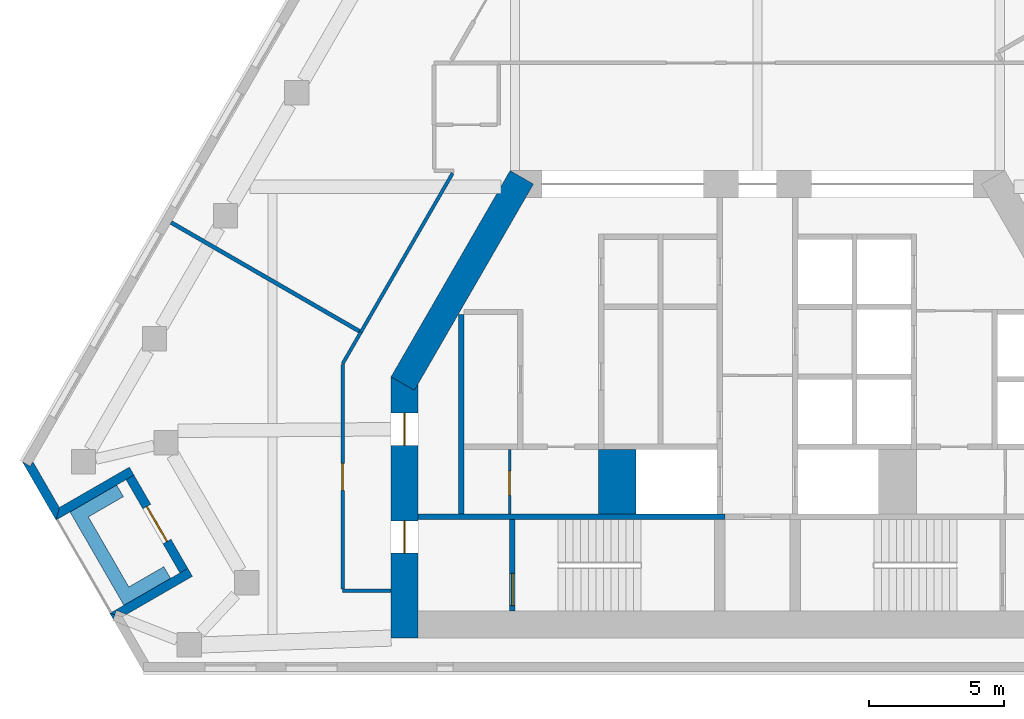
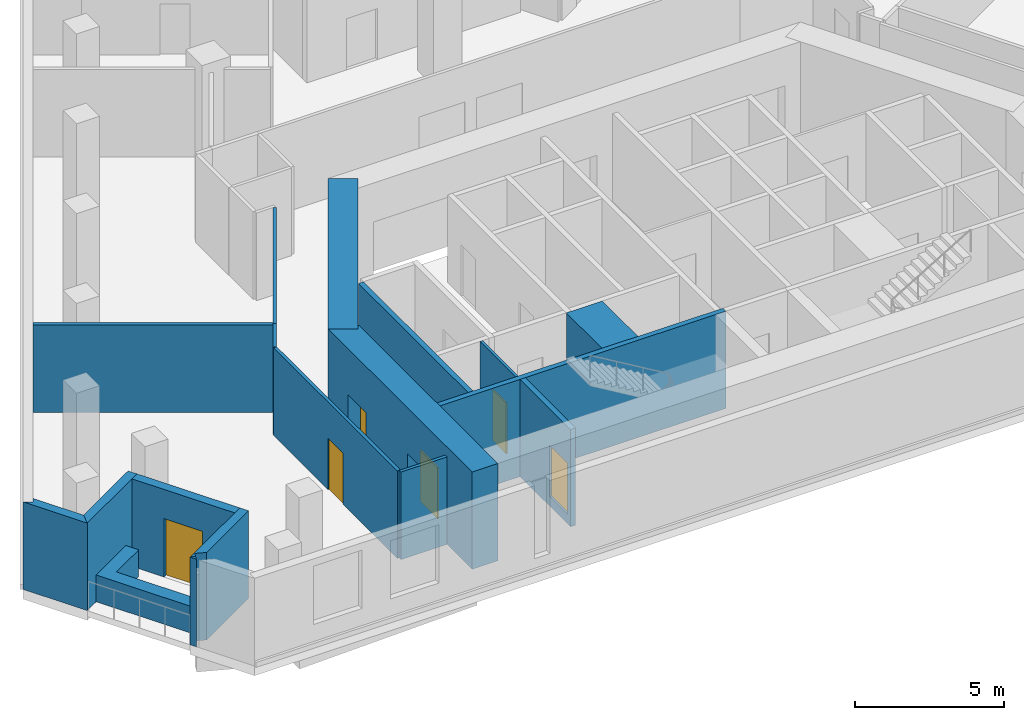
# One storey, part 3 of 9: 18 walls, 6 doors, 6 openings.
"""IFC4 building model written with IfcOpenShell, lengths in metres."""

from ifc_helpers import new_model, si_unit, direction, frame, frame_2d, origin, place, context, subcontext, project, spatial, polyline, rectangle, outline, extrude, material, layer, layer_set, type_object, element, fill, save


model = new_model("IFC4")

# Units and contexts
model_context = context("Model", 3, precision=1e-05, world=origin(), true_north=direction((0.0, 1.0)))
body_context = subcontext(model_context, "Body", "Model", "MODEL_VIEW")
ifc_project = project(units=[si_unit("LENGTHUNIT", "METRE"), si_unit("AREAUNIT", "SQUARE_METRE"), si_unit("VOLUMEUNIT", "CUBIC_METRE"), si_unit("PLANEANGLEUNIT", "RADIAN"), si_unit("MASSUNIT", "GRAM", prefix="KILO")], contexts=[model_context])

# Site, building, storey
site_placement = place(None, origin())
site = spatial("IfcSite", under=ifc_project, at=site_placement, CompositionType="ELEMENT")
building_placement = place(site_placement, origin())
building = spatial("IfcBuilding", under=site, at=building_placement, Name="Fogline Exchange Tower", CompositionType="ELEMENT")
storey_placement = place(building_placement, frame((0.0, 0.0, 214.10009765625)))
storey = spatial("IfcBuildingStorey", under=building, at=storey_placement, Name="L48", CompositionType="ELEMENT", Elevation=214.10009765625)

# Wall, opening, door
ifc_material_1 = material(Name="Blockwork partition", Category="masonry")
ifc_layer_1 = layer(ifc_material_1, 0.10009765625)
ifc_layer_set_1 = layer_set([ifc_layer_1], Name="CW10")
wall_type_1 = type_object("IfcWallType", Name="CW10", PredefinedType="PARTITIONING", material=ifc_layer_set_1)
wall_1_placement = place(storey_placement, frame((-9.199951171875, 5.85009765625, 0.0), z_axis=(0.0, 0.0, 1.0), x_axis=(0.0, 1.0, 0.0)))
wall_1 = element("IfcWall", 1, at=wall_1_placement, inside=storey, type_object=wall_type_1, Name="WC partition", PredefinedType="PARTITIONING", context=body_context, shape_type="SweptSolid", body=[
    extrude(rectangle(XDim=2.39990234375, YDim=0.10009765625, at=frame_2d((1.199951171875, 0.0))), origin(), (0.0, 0.0, 1.0), 3.599853515625),
])
opening_1_placement = place(wall_1_placement, frame((0.699951171875, 0.0, 0.0)))
opening_1 = element("IfcOpeningElement", 2, at=opening_1_placement, cuts=wall_1, Name="Opening T15-C009", PredefinedType="OPENING", context=body_context, shape_type="SweptSolid", body=[
    extrude(rectangle(XDim=0.89990234375, YDim=2.10009765625, at=frame_2d((0.449951171875, 1.050048828125))), frame((0.0, 0.06005859375, 0.0), z_axis=(0.0, -1.0, 0.0), x_axis=(1.0, 0.0, 0.0)), (0.0, 0.0, 1.0), 0.1201171875),
])
ifc_material_2 = material(Name="Steel and timber fire door", Category="steel")
door_type_1 = type_object("IfcDoorType", Name="D-CS1", OperationType="SINGLE_SWING_RIGHT", PredefinedType="DOOR", material=ifc_material_2)
door_1_placement = place(opening_1_placement, origin())
door_1 = element("IfcDoor", 3, at=door_1_placement, inside=storey, type_object=door_type_1, Name="Door to Cleaner's Store", OperationType="SINGLE_SWING_LEFT", OverallHeight=2.10009765625, OverallWidth=0.89990234375, PredefinedType="DOOR", context=body_context, shape_type="SweptSolid", body=[
    extrude(rectangle(XDim=0.89990234375, YDim=2.10009765625, at=frame_2d((0.449951171875, 1.050048828125))), frame((0.0, 0.02490234375, 0.0), z_axis=(0.0, -1.0, 0.0), x_axis=(1.0, 0.0, 0.0)), (0.0, 0.0, 1.0), 0.050048828125),
])
fill(opening_1, door_1)

# Walls
ifc_material_3 = material(Name="Concrete C60", Category="concrete")
ifc_layer_2 = layer(ifc_material_3, 1.39990234375)
ifc_layer_set_2 = layer_set([ifc_layer_2], Name="CW140")
wall_type_2 = type_object("IfcWallType", Name="CW140", PredefinedType="SOLIDWALL", material=ifc_layer_set_2)
wall_2_placement = place(storey_placement, frame((-5.199951171875, 5.85009765625, -0.400146484375), z_axis=(0.0, 0.0, 1.0), x_axis=(0.0, 1.0, 0.0)))
element("IfcWall", 4, at=wall_2_placement, inside=storey, type_object=wall_type_2, Name="Lift shaft block wall", PredefinedType="SOLIDWALL", context=body_context, shape_type="SweptSolid", body=[
    extrude(rectangle(XDim=2.39990234375, YDim=1.39990234375, at=frame_2d((1.199951171875, 0.0))), origin(), (0.0, 0.0, 1.0), 4.0),
])
ifc_material_4 = material(Name="Concrete C40", Category="concrete")
ifc_layer_3 = layer(ifc_material_4, 0.199951171875)
ifc_layer_set_3 = layer_set([ifc_layer_3], Name="CW20")
wall_type_3 = type_object("IfcWallType", Name="CW20", PredefinedType="SOLIDWALL", material=ifc_layer_set_3)
wall_3_placement = place(storey_placement, frame((-11.0, 5.85009765625, 0.0), z_axis=(0.0, 0.0, 1.0), x_axis=(0.0, 1.0, 0.0)))
element("IfcWall", 5, at=wall_3_placement, inside=storey, type_object=wall_type_3, Name="Service room wall", PredefinedType="SOLIDWALL", context=body_context, shape_type="SweptSolid", body=[
    extrude(rectangle(XDim=7.39990234375, YDim=0.199951171875, at=frame_2d((3.699951171875, 0.0))), origin(), (0.0, 0.0, 1.0), 3.599853515625),
])
ifc_layer_4 = layer(ifc_material_4, 0.199951171875)
ifc_layer_set_4 = layer_set([ifc_layer_4], Name="CW20R")
wall_type_4 = type_object("IfcWallType", Name="CW20R", PredefinedType="SOLIDWALL", material=ifc_layer_set_4)
wall_4_placement = place(storey_placement, frame((-12.60009765625, 5.75, -0.400146484375), z_axis=(0.0, 0.0, 1.0), x_axis=(1.0, 0.0, 0.0)))
element("IfcWall", 6, at=wall_4_placement, inside=storey, type_object=wall_type_4, Name="Stair enclosure wall", PredefinedType="SOLIDWALL", context=body_context, shape_type="SweptSolid", body=[
    extrude(rectangle(XDim=11.400146484375, YDim=0.199951171875, at=frame_2d((5.7001953125, 0.0))), origin(), (0.0, 0.0, 1.0), 4.0),
])

# Wall, opening, door
wall_5_placement = place(storey_placement, frame((-9.10009765625, 2.25, -0.400146484375), z_axis=(0.0, 0.0, 1.0), x_axis=(0.0, 1.0, 0.0)))
wall_5 = element("IfcWall", 7, at=wall_5_placement, inside=storey, type_object=wall_type_4, Name="Stair enclosure wall", PredefinedType="SOLIDWALL", context=body_context, shape_type="SweptSolid", body=[
    extrude(rectangle(XDim=3.39990234375, YDim=0.199951171875, at=frame_2d((1.699951171875, 0.0))), origin(), (0.0, 0.0, 1.0), 4.0),
])
opening_2_placement = place(wall_5_placement, frame((0.199951171875, 0.0, 0.39990234375)))
opening_2 = element("IfcOpeningElement", 8, at=opening_2_placement, cuts=wall_5, Name="Opening T15-C011", PredefinedType="OPENING", context=body_context, shape_type="SweptSolid", body=[
    extrude(rectangle(XDim=1.199951171875, YDim=2.10009765625, at=frame_2d((0.60009765625, 1.050048828125))), frame((0.0, 0.10986328125, 0.0), z_axis=(0.0, -1.0, 0.0), x_axis=(1.0, 0.0, 0.0)), (0.0, 0.0, 1.0), 0.219970703125),
])
door_type_2 = type_object("IfcDoorType", Name="D-ST1", OperationType="SINGLE_SWING_LEFT", PredefinedType="DOOR", material=ifc_material_2)
door_2_placement = place(opening_2_placement, frame((1.199951171875, 0.0, 0.0), z_axis=(0.0, 0.0, 1.0), x_axis=(-1.0, 0.0, 0.0)))
door_2 = element("IfcDoor", 9, at=door_2_placement, inside=storey, type_object=door_type_2, Name="Stair door ST1", OperationType="SINGLE_SWING_RIGHT", OverallHeight=2.10009765625, OverallWidth=1.199951171875, PredefinedType="DOOR", context=body_context, shape_type="SweptSolid", body=[
    extrude(rectangle(XDim=1.199951171875, YDim=2.10009765625, at=frame_2d((0.60009765625, 1.050048828125))), frame((0.0, 0.02490234375, 0.0), z_axis=(0.0, -1.0, 0.0), x_axis=(1.0, 0.0, 0.0)), (0.0, 0.0, 1.0), 0.050048828125),
])
fill(opening_2, door_2)

# Walls
ifc_material_5 = material(Name="Brick masonry", Category="masonry")
ifc_layer_5 = layer(ifc_material_5, 0.340087890625)
ifc_layer_set_5 = layer_set([ifc_layer_5], Name="FW1")
wall_type_5 = type_object("IfcWallType", Name="FW1", PredefinedType="SOLIDWALL", material=ifc_layer_set_5)
wall_6_placement = place(storey_placement, origin())
element("IfcWall", 10, at=wall_6_placement, inside=storey, type_object=wall_type_5, Name="Brick wall L48 SW-c1", PredefinedType="SOLIDWALL", context=body_context, shape_type="SweptSolid", body=[
    extrude(outline(polyline([(-26.03662109375, 5.6279296875), (-27.28759765625, 7.794921875), (-27.287109375, 7.79541015625), (-26.9921875, 7.625), (-26.89404296875, 7.79541015625), (-25.911376953125, 6.09375), (-26.0361328125, 5.6279296875), (-26.03662109375, 5.6279296875)])), origin(), (0.0, 0.0, 1.0), 3.599853515625),
])
wall_7_placement = place(storey_placement, origin())
element("IfcWall", 11, at=wall_7_placement, inside=storey, type_object=wall_type_5, Name="Brick wall L48 SW-s1", PredefinedType="SOLIDWALL", context=body_context, shape_type="SweptSolid", body=[
    extrude(outline(polyline([(-23.313720703125, 7.594482421875), (-23.14306640625, 7.298828125), (-23.438232421875, 7.128662109375), (-26.037109375, 5.628173828125), (-26.037353515625, 5.62841796875), (-25.91259765625, 6.093994140625), (-23.313720703125, 7.594482421875)])), origin(), (0.0, 0.0, 1.0), 3.599853515625),
])

# Wall, opening, door
wall_8_placement = place(storey_placement, frame((-23.291259765625, 7.214111328125, 0.0), z_axis=(0.0, 0.0, 1.0), x_axis=(0.49999894854, -0.866026010844, 0.0)))
wall_8 = element("IfcWall", 12, at=wall_8_placement, inside=storey, type_object=wall_type_5, Name="Brick wall L48 SW-bk", PredefinedType="SOLIDWALL", context=body_context, shape_type="SweptSolid", body=[
    extrude(rectangle(XDim=4.0, YDim=0.340087890625, at=frame_2d((2.0, 0.0))), origin(), (0.0, 0.0, 1.0), 3.599853515625),
])
opening_3_placement = place(wall_8_placement, frame((1.25, 0.0, 0.0)))
opening_3 = element("IfcOpeningElement", 13, at=opening_3_placement, cuts=wall_8, Name="Opening T15-E021", PredefinedType="OPENING", context=body_context, shape_type="SweptSolid", body=[
    extrude(rectangle(XDim=1.5, YDim=2.39990234375, at=frame_2d((0.75, 1.199951171875))), frame((0.0, 0.18017578125, 0.0), z_axis=(0.0, -1.0, 0.0), x_axis=(1.0, 0.0, 0.0)), (0.0, 0.0, 1.0), 0.360107421875),
])
ifc_material_6 = material(Name="Aluminium and glass", Category="aluminium")
door_type_3 = type_object("IfcDoorType", Name="ED4", OperationType="SINGLE_SWING_LEFT", PredefinedType="DOOR", material=ifc_material_6)
door_3_placement = place(opening_3_placement, frame((1.5, 0.0, 0.0), z_axis=(0.0, 0.0, 1.0), x_axis=(-1.0, 0.0, 0.0)))
door_3 = element("IfcDoor", 14, at=door_3_placement, inside=storey, type_object=door_type_3, Name="Balcony door L48 SW", OperationType="DOUBLE_DOOR_SINGLE_SWING", OverallHeight=2.39990234375, OverallWidth=1.5, PredefinedType="DOOR", context=body_context, shape_type="SweptSolid", body=[
    extrude(rectangle(XDim=1.5, YDim=2.39990234375, at=frame_2d((0.75, 1.199951171875))), frame((0.0, 0.02490234375, 0.0), z_axis=(0.0, -1.0, 0.0), x_axis=(1.0, 0.0, 0.0)), (0.0, 0.0, 1.0), 0.050048828125),
])
fill(opening_3, door_3)

# Walls
wall_9_placement = place(storey_placement, origin())
element("IfcWall", 15, at=wall_9_placement, inside=storey, type_object=wall_type_5, Name="Brick wall L48 SW-s2", PredefinedType="SOLIDWALL", context=body_context, shape_type="SweptSolid", body=[
    extrude(outline(polyline([(-21.438720703125, 3.66552734375), (-21.143798828125, 3.8359375), (-20.97314453125, 3.540283203125), (-23.419677734375, 2.1279296875), (-23.790771484375, 2.2734375), (-23.852783203125, 2.115234375), (-24.03759765625, 2.164794921875), (-24.037841796875, 2.1650390625), (-21.438720703125, 3.66552734375)])), origin(), (0.0, 0.0, 1.0), 3.599853515625),
])
wall_10_placement = place(storey_placement, origin())
element("IfcWall", 16, at=wall_10_placement, inside=storey, type_object=wall_type_5, Name="Brick wall L48 SW-c2", PredefinedType="SOLIDWALL", context=body_context, shape_type="SweptSolid", body=[
    extrude(outline(polyline([(-24.03759765625, 2.165771484375), (-24.037353515625, 2.166015625), (-23.852294921875, 2.116455078125), (-23.915771484375, 1.95458984375), (-24.03759765625, 2.165771484375)])), origin(), (0.0, 0.0, 1.0), 3.599853515625),
])
ifc_material_7 = material(Name="Concrete C30", Category="concrete")
ifc_layer_6 = layer(ifc_material_7, 0.199951171875)
ifc_layer_set_6 = layer_set([ifc_layer_6], Name="PL1")
wall_type_6 = type_object("IfcWallType", Name="PL1", PredefinedType="USERDEFINED", material=ifc_layer_set_6)
wall_11_placement = place(storey_placement, origin())
element("IfcWall", 17, at=wall_11_placement, inside=storey, type_object=wall_type_6, Name="PLANTER balcony L48 SW", ObjectType="PLANTER", PredefinedType="USERDEFINED", context=body_context, shape_type="SweptSolid", body=[
    extrude(outline(polyline([(-22.034912109375, 3.898193359375), (-23.333984375, 3.148193359375), (-24.833984375, 5.74609375), (-23.534912109375, 6.49609375), (-23.784912109375, 6.92919921875), (-25.516845703125, 5.92919921875), (-25.266845703125, 5.49609375), (-23.516845703125, 2.465087890625), (-23.083984375, 2.715087890625), (-23.083984375, 2.715087890625), (-21.784912109375, 3.465087890625), (-22.034912109375, 3.898193359375)])), origin(), (0.0, 0.0, 1.0), 1.099853515625),
])
ifc_material_8 = material(Name="Plasterboard corridor partition with mineral wool, 2 layers each side")
ifc_layer_7 = layer(ifc_material_8, 0.125)
ifc_layer_set_7 = layer_set([ifc_layer_7], Name="PW2")
wall_type_7 = type_object("IfcWallType", Name="PW2", PredefinedType="PARTITIONING", material=ifc_layer_set_7)
wall_12_placement = place(storey_placement, frame((-14.719482421875, 12.606201171875, 0.0), z_axis=(0.0, 0.0, 1.0), x_axis=(0.499982011104, 0.866035789429, 0.0)))
element("IfcWall", 18, at=wall_12_placement, inside=storey, type_object=wall_type_7, Name="wall-L48-W012", PredefinedType="PARTITIONING", context=body_context, shape_type="SweptSolid", body=[
    extrude(rectangle(XDim=6.812255859375, YDim=0.125, at=frame_2d((3.40625, 0.0))), origin(), (0.0, 0.0, 1.0), 3.599853515625),
])
wall_13_placement = place(storey_placement, frame((-13.60009765625, 3.0, 0.0), z_axis=(0.0, 0.0, 1.0), x_axis=(-1.0, 0.0, 0.0)))
element("IfcWall", 19, at=wall_13_placement, inside=storey, type_object=wall_type_7, Name="wall-L48-W013", PredefinedType="PARTITIONING", context=body_context, shape_type="SweptSolid", body=[
    extrude(rectangle(XDim=1.7998046875, YDim=0.125, at=frame_2d((0.89990234375, 0.0))), origin(), (0.0, 0.0, 1.0), 3.599853515625),
])

# Wall, opening, door
wall_14_placement = place(storey_placement, frame((-15.39990234375, 3.0625, 0.0), z_axis=(0.0, 0.0, 1.0), x_axis=(0.0, 1.0, 0.0)))
wall_14 = element("IfcWall", 20, at=wall_14_placement, inside=storey, type_object=wall_type_7, Name="wall-L48-W014", PredefinedType="PARTITIONING", context=body_context, shape_type="SweptSolid", body=[
    extrude(rectangle(XDim=8.334228515625, YDim=0.125, at=frame_2d((4.1669921875, 0.0))), origin(), (0.0, 0.0, 1.0), 3.599853515625),
])
opening_4_placement = place(wall_14_placement, frame((3.6669921875, 0.0, 0.0)))
opening_4 = element("IfcOpeningElement", 21, at=opening_4_placement, cuts=wall_14, Name="Opening T15-D006", PredefinedType="OPENING", context=body_context, shape_type="SweptSolid", body=[
    extrude(rectangle(XDim=1.0, YDim=2.10009765625, at=frame_2d((0.5, 1.050048828125))), frame((0.0, 0.072509765625, 0.0), z_axis=(0.0, -1.0, 0.0), x_axis=(1.0, 0.0, 0.0)), (0.0, 0.0, 1.0), 0.14501953125),
])
ifc_material_9 = material(Name="Fire-rated timber door leaf with steel frame", Category="steel")
door_type_4 = type_object("IfcDoorType", Name="D3", OperationType="SINGLE_SWING_LEFT", PredefinedType="DOOR", material=ifc_material_9)
door_4_placement = place(opening_4_placement, origin())
door_4 = element("IfcDoor", 22, at=door_4_placement, inside=storey, type_object=door_type_4, Name="door-L48-D006", OperationType="SINGLE_SWING_LEFT", OverallHeight=2.10009765625, OverallWidth=1.0, PredefinedType="DOOR", context=body_context, shape_type="SweptSolid", body=[
    extrude(rectangle(XDim=1.0, YDim=2.10009765625, at=frame_2d((0.5, 1.050048828125))), frame((0.0, 0.02490234375, 0.0), z_axis=(0.0, -1.0, 0.0), x_axis=(1.0, 0.0, 0.0)), (0.0, 0.0, 1.0), 0.050048828125),
])
fill(opening_4, door_4)

# Walls
wall_15_placement = place(storey_placement, frame((-15.39990234375, 11.427734375, 0.0), z_axis=(0.0, 0.0, 1.0), x_axis=(0.500017526161, 0.866015284814, 0.0)))
element("IfcWall", 23, at=wall_15_placement, inside=storey, type_object=wall_type_7, Name="wall-L48-W015", PredefinedType="PARTITIONING", context=body_context, shape_type="SweptSolid", body=[
    extrude(rectangle(XDim=1.36083984375, YDim=0.125, at=frame_2d((0.680419921875, 0.0))), origin(), (0.0, 0.0, 1.0), 3.599853515625),
])
ifc_material_10 = material(Name="Plasterboard demising partition with mineral wool and acoustic board")
ifc_layer_8 = layer(ifc_material_10, 0.14990234375)
ifc_layer_set_8 = layer_set([ifc_layer_8], Name="PW3")
wall_type_8 = type_object("IfcWallType", Name="PW3", PredefinedType="PARTITIONING", material=ifc_layer_set_8)
wall_16_placement = place(storey_placement, frame((-14.773681640625, 12.637451171875, 0.0), z_axis=(0.0, 0.0, 1.0), x_axis=(-0.866025976704, 0.499999007672, 0.0)))
element("IfcWall", 24, at=wall_16_placement, inside=storey, type_object=wall_type_8, Name="wall-L48-W045", PredefinedType="PARTITIONING", context=body_context, shape_type="SweptSolid", body=[
    extrude(rectangle(XDim=8.07470703125, YDim=0.14990234375, at=frame_2d((4.037353515625, 0.0))), origin(), (0.0, 0.0, 1.0), 3.599853515625),
])
ifc_layer_9 = layer(ifc_material_3, 1.0)
ifc_layer_set_9 = layer_set([ifc_layer_9], Name="SW03")
wall_type_9 = type_object("IfcWallType", Name="SW03", PredefinedType="SHEAR", material=ifc_layer_set_9)
wall_17_placement = place(storey_placement, frame((-8.74755859375, 18.35009765625, 0.0), z_axis=(0.0, 0.0, 1.0), x_axis=(-0.499995021168, -0.866028278295, 0.0)))
element("IfcWall", 25, at=wall_17_placement, inside=storey, type_object=wall_type_9, Name="L48-W905", PredefinedType="SHEAR", context=body_context, shape_type="SweptSolid", body=[
    extrude(rectangle(XDim=8.8388671875, YDim=1.0, at=frame_2d((4.41943359375, 0.0))), origin(), (0.0, 0.0, 1.0), 4.0),
])

# Wall, openings, doors
wall_18_placement = place(storey_placement, frame((-13.10009765625, 10.9453125, 0.0), z_axis=(0.0, 0.0, 1.0), x_axis=(0.0, -1.0, 0.0)))
wall_18 = element("IfcWall", 26, at=wall_18_placement, inside=storey, type_object=wall_type_9, Name="L48-W906", PredefinedType="SHEAR", context=body_context, shape_type="SweptSolid", body=[
    extrude(rectangle(XDim=9.6953125, YDim=1.0, at=frame_2d((4.84765625, 0.0))), origin(), (0.0, 0.0, 1.0), 4.0),
])
opening_5_placement = place(wall_18_placement, frame((5.345458984375, 0.0, 0.0)))
opening_5 = element("IfcOpeningElement", 27, at=opening_5_placement, cuts=wall_18, Name="Opening T15-C010", PredefinedType="OPENING", context=body_context, shape_type="SweptSolid", body=[
    extrude(rectangle(XDim=1.199951171875, YDim=2.10009765625, at=frame_2d((0.60009765625, 1.050048828125))), frame((0.0, 0.510009765625, 0.0), z_axis=(0.0, -1.0, 0.0), x_axis=(1.0, 0.0, 0.0)), (0.0, 0.0, 1.0), 1.02001953125),
])
opening_6_placement = place(wall_18_placement, frame((1.345458984375, 0.0, 0.0)))
opening_6 = element("IfcOpeningElement", 28, at=opening_6_placement, cuts=wall_18, Name="Opening T15-C012", PredefinedType="OPENING", context=body_context, shape_type="SweptSolid", body=[
    extrude(rectangle(XDim=1.199951171875, YDim=2.10009765625, at=frame_2d((0.60009765625, 1.050048828125))), frame((0.0, 0.510009765625, 0.0), z_axis=(0.0, -1.0, 0.0), x_axis=(1.0, 0.0, 0.0)), (0.0, 0.0, 1.0), 1.02001953125),
])
door_type_5 = type_object("IfcDoorType", Name="D-FR1", OperationType="SINGLE_SWING_RIGHT", PredefinedType="DOOR", material=ifc_material_2)
door_5_placement = place(opening_5_placement, origin())
door_5 = element("IfcDoor", 29, at=door_5_placement, inside=storey, type_object=door_type_5, Name="Front room door ST1", OperationType="SINGLE_SWING_LEFT", OverallHeight=2.10009765625, OverallWidth=1.199951171875, PredefinedType="DOOR", context=body_context, shape_type="SweptSolid", body=[
    extrude(rectangle(XDim=1.199951171875, YDim=2.10009765625, at=frame_2d((0.60009765625, 1.050048828125))), frame((0.0, 0.02490234375, 0.0), z_axis=(0.0, -1.0, 0.0), x_axis=(1.0, 0.0, 0.0)), (0.0, 0.0, 1.0), 0.050048828125),
])
fill(opening_5, door_5)
door_type_6 = type_object("IfcDoorType", Name="D-SV1", OperationType="SINGLE_SWING_LEFT", PredefinedType="DOOR", material=ifc_material_2)
door_6_placement = place(opening_6_placement, origin())
door_6 = element("IfcDoor", 30, at=door_6_placement, inside=storey, type_object=door_type_6, Name="Service door W", OperationType="SINGLE_SWING_LEFT", OverallHeight=2.10009765625, OverallWidth=1.199951171875, PredefinedType="DOOR", context=body_context, shape_type="SweptSolid", body=[
    extrude(rectangle(XDim=1.199951171875, YDim=2.10009765625, at=frame_2d((0.60009765625, 1.050048828125))), frame((0.0, 0.02490234375, 0.0), z_axis=(0.0, -1.0, 0.0), x_axis=(1.0, 0.0, 0.0)), (0.0, 0.0, 1.0), 0.050048828125),
])
fill(opening_6, door_6)

save(model, "model.ifc")
